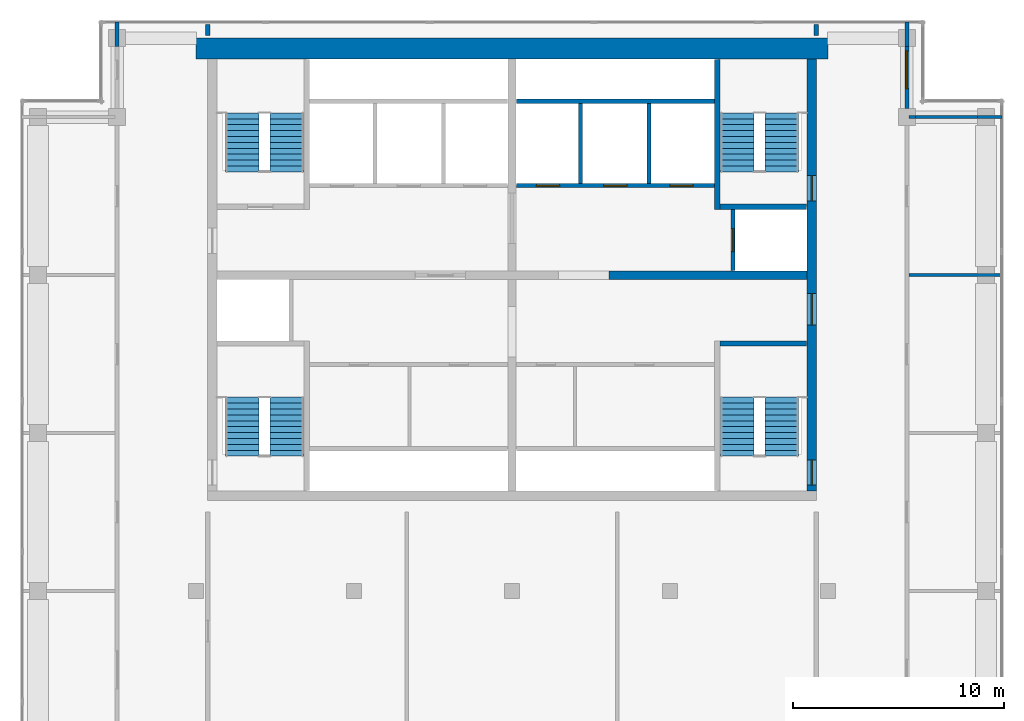
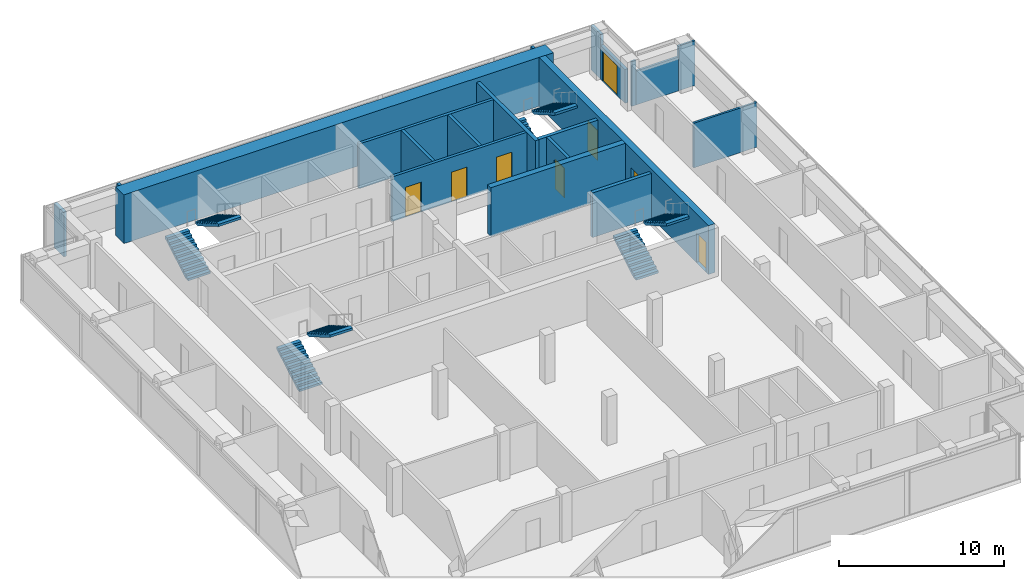
# One storey, part 8 of 9: 20 walls, 8 doors, 8 stair flights, 8 openings, 4 elements without a shape of their own.
"""IFC4 building model written with IfcOpenShell, lengths in metres."""

from ifc_helpers import new_model, si_unit, direction, frame, frame_2d, origin, place, context, subcontext, project, spatial, polyline, rectangle, outline, extrude, material, layer, layer_set, type_object, element, fill, aggregate, save


model = new_model("IFC4")

# Units and contexts
model_context = context("Model", 3, precision=1e-05, world=origin(), true_north=direction((0.0, 1.0)))
body_context = subcontext(model_context, "Body", "Model", "MODEL_VIEW")
ifc_project = project(units=[si_unit("LENGTHUNIT", "METRE"), si_unit("AREAUNIT", "SQUARE_METRE"), si_unit("VOLUMEUNIT", "CUBIC_METRE"), si_unit("PLANEANGLEUNIT", "RADIAN"), si_unit("MASSUNIT", "GRAM", prefix="KILO")], contexts=[model_context])

# Site, building, storey
site_placement = place(None, origin())
site = spatial("IfcSite", under=ifc_project, at=site_placement, CompositionType="ELEMENT")
building_placement = place(site_placement, origin())
building = spatial("IfcBuilding", under=site, at=building_placement, Name="Pilkhan Gate Tower", CompositionType="ELEMENT")
storey_placement = place(building_placement, frame((0.0, 0.0, 262.10009765625)))
storey = spatial("IfcBuildingStorey", under=building, at=storey_placement, Name="L68", CompositionType="ELEMENT", Elevation=262.10009765625)

# Wall
ifc_material_1 = material(Name="Concrete C50/60", Category="concrete")
ifc_layer_1 = layer(ifc_material_1, 1.0)
ifc_layer_set_1 = layer_set([ifc_layer_1], Name="Core wall CW1000 C50/60")
wall_type_1 = type_object("IfcWallType", Name="Core wall CW1000 C50/60", PredefinedType="SHEAR", material=ifc_layer_set_1)
wall_1_placement = place(storey_placement, frame((90.0, 93.25, 0.0), z_axis=(0.0, 0.0, 1.0), x_axis=(-1.0, 0.0, 0.0)))
element("IfcWall", 1, at=wall_1_placement, inside=storey, type_object=wall_type_1, Name="Core wall N L68", PredefinedType="SHEAR", context=body_context, shape_type="SweptSolid", body=[
    extrude(rectangle(XDim=30.0, YDim=1.0, at=frame_2d((15.0, 0.0))), origin(), (0.0, 0.0, 1.0), 3.599853515625),
])

# Wall, openings, doors
ifc_layer_2 = layer(ifc_material_1, 0.449951171875)
ifc_layer_set_2 = layer_set([ifc_layer_2], Name="Core wall CW450 C50/60")
wall_type_2 = type_object("IfcWallType", Name="Core wall CW450 C50/60", PredefinedType="SHEAR", material=ifc_layer_set_2)
wall_2_placement = place(storey_placement, frame((89.22509765625, 72.25, 0.0), z_axis=(0.0, 0.0, 1.0), x_axis=(0.0, 1.0, 0.0)))
wall_2 = element("IfcWall", 2, at=wall_2_placement, inside=storey, type_object=wall_type_2, Name="Core wall E L68", PredefinedType="SHEAR", context=body_context, shape_type="SweptSolid", body=[
    extrude(rectangle(XDim=20.5, YDim=0.449951171875, at=frame_2d((10.25, 0.0))), origin(), (0.0, 0.0, 1.0), 3.599853515625),
])
opening_1_placement = place(wall_2_placement, frame((0.27490234375, 0.0, 0.0)))
opening_1 = element("IfcOpeningElement", 3, at=opening_1_placement, cuts=wall_2, Name="Opening L68-03", PredefinedType="OPENING", context=body_context, shape_type="SweptSolid", body=[
    extrude(rectangle(XDim=1.199951171875, YDim=2.199951171875, at=frame_2d((0.60009765625, 1.10009765625))), frame((0.0, 0.23486328125, 0.0), z_axis=(0.0, -1.0, 0.0), x_axis=(1.0, 0.0, 0.0)), (0.0, 0.0, 1.0), 0.469970703125),
])
opening_2_placement = place(wall_2_placement, frame((13.77490234375, 0.0, 0.0)))
opening_2 = element("IfcOpeningElement", 4, at=opening_2_placement, cuts=wall_2, Name="Opening L68-05", PredefinedType="OPENING", context=body_context, shape_type="SweptSolid", body=[
    extrude(rectangle(XDim=1.199951171875, YDim=2.199951171875, at=frame_2d((0.60009765625, 1.10009765625))), frame((0.0, 0.23486328125, 0.0), z_axis=(0.0, -1.0, 0.0), x_axis=(1.0, 0.0, 0.0)), (0.0, 0.0, 1.0), 0.469970703125),
])
opening_3_placement = place(wall_2_placement, frame((7.875, 0.0, 0.0)))
opening_3 = element("IfcOpeningElement", 5, at=opening_3_placement, cuts=wall_2, Name="Opening L68-09", PredefinedType="OPENING", context=body_context, shape_type="SweptSolid", body=[
    extrude(rectangle(XDim=1.5, YDim=2.199951171875, at=frame_2d((0.75, 1.10009765625))), frame((0.0, 0.23486328125, 0.0), z_axis=(0.0, -1.0, 0.0), x_axis=(1.0, 0.0, 0.0)), (0.0, 0.0, 1.0), 0.469970703125),
])
ifc_material_2 = material(Name="Steel framed glazed door, 60 minute fire resisting", Category="steel")
door_type_1 = type_object("IfcDoorType", Name="Lobby door D09 1500x2200", OperationType="DOUBLE_DOOR_SINGLE_SWING", PredefinedType="DOOR", material=ifc_material_2)
door_1_placement = place(opening_3_placement, origin())
door_1 = element("IfcDoor", 6, at=door_1_placement, inside=storey, type_object=door_type_1, Name="Core door", OperationType="DOUBLE_DOOR_SINGLE_SWING", OverallHeight=2.199951171875, OverallWidth=1.5, PredefinedType="DOOR", context=body_context, shape_type="SweptSolid", body=[
    extrude(rectangle(XDim=1.5, YDim=2.199951171875, at=frame_2d((0.75, 1.10009765625))), frame((0.0, 0.02490234375, 0.0), z_axis=(0.0, -1.0, 0.0), x_axis=(1.0, 0.0, 0.0)), (0.0, 0.0, 1.0), 0.050048828125),
])
fill(opening_3, door_1)
ifc_material_3 = material(Name="Steel door, 120 minute fire resisting, panic bar", Category="steel")
door_type_2 = type_object("IfcDoorType", Name="Stair door D11 1200x2200", OperationType="SINGLE_SWING_LEFT", PredefinedType="DOOR", material=ifc_material_3)
door_2_placement = place(opening_1_placement, origin())
door_2 = element("IfcDoor", 7, at=door_2_placement, inside=storey, type_object=door_type_2, Name="Stair ST1 door", OperationType="SINGLE_SWING_LEFT", OverallHeight=2.199951171875, OverallWidth=1.199951171875, PredefinedType="DOOR", context=body_context, shape_type="SweptSolid", body=[
    extrude(rectangle(XDim=1.199951171875, YDim=2.199951171875, at=frame_2d((0.60009765625, 1.10009765625))), frame((0.0, 0.02490234375, 0.0), z_axis=(0.0, -1.0, 0.0), x_axis=(1.0, 0.0, 0.0)), (0.0, 0.0, 1.0), 0.050048828125),
])
fill(opening_1, door_2)
door_3_placement = place(opening_2_placement, origin())
door_3 = element("IfcDoor", 8, at=door_3_placement, inside=storey, type_object=door_type_2, Name="Stair ST4 door", OperationType="SINGLE_SWING_LEFT", OverallHeight=2.199951171875, OverallWidth=1.199951171875, PredefinedType="DOOR", context=body_context, shape_type="SweptSolid", body=[
    extrude(rectangle(XDim=1.199951171875, YDim=2.199951171875, at=frame_2d((0.60009765625, 1.10009765625))), frame((0.0, 0.02490234375, 0.0), z_axis=(0.0, -1.0, 0.0), x_axis=(1.0, 0.0, 0.0)), (0.0, 0.0, 1.0), 0.050048828125),
])
fill(opening_2, door_3)

# Walls
ifc_material_4 = material(Name="Dense blockwork", Category="masonry")
ifc_layer_3 = layer(ifc_material_4, 0.199951171875)
ifc_layer_set_3 = layer_set([ifc_layer_3], Name="Corridor wall FW200")
wall_type_3 = type_object("IfcWallType", Name="Corridor wall FW200", PredefinedType="PARTITIONING", material=ifc_layer_set_3)
wall_3_placement = place(storey_placement, frame((56.25, 93.35009765625, 0.0), z_axis=(0.0, 0.0, 1.0), x_axis=(0.0, 1.0, 0.0)))
element("IfcWall", 9, at=wall_3_placement, inside=storey, type_object=wall_type_3, Name="Partition L68", PredefinedType="PARTITIONING", context=body_context, shape_type="SweptSolid", body=[
    extrude(rectangle(XDim=1.164794921875, YDim=0.199951171875, at=frame_2d((0.58251953125, 0.0))), origin(), (0.0, 0.0, 1.0), 3.2998046875),
])
for number, where, z_axis, x_axis, name in (
    (10, (60.550048828125, 93.8701171875, 0.0), (0.0, 0.0, 1.0), (0.0, 1.0, 0.0), "Partition L68"),
    (11, (89.449951171875, 93.8701171875, 0.0), (0.0, 0.0, 1.0), (0.0, 1.0, 0.0), "Partition L68"),
):
    element("IfcWall", number, at=place(storey_placement, frame(where, z_axis=z_axis, x_axis=x_axis)), inside=storey, type_object=wall_type_3, Name=name, PredefinedType="PARTITIONING", context=body_context, shape_type="SweptSolid", body=[
        extrude(rectangle(XDim=0.52490234375, YDim=0.199951171875, at=frame_2d((0.262451171875, 0.0))), origin(), (0.0, 0.0, 1.0), 3.2998046875),
    ])

# Wall, opening, door
wall_4_placement = place(storey_placement, frame((93.75, 90.39990234375, 0.0), z_axis=(0.0, 0.0, 1.0), x_axis=(0.0, 1.0, 0.0)))
wall_4 = element("IfcWall", 12, at=wall_4_placement, inside=storey, type_object=wall_type_3, Name="Partition L68", PredefinedType="PARTITIONING", context=body_context, shape_type="SweptSolid", body=[
    extrude(rectangle(XDim=2.9501953125, YDim=0.199951171875, at=frame_2d((1.47509765625, 0.0))), origin(), (0.0, 0.0, 1.0), 2.5),
])
opening_4_placement = place(wall_4_placement, frame((0.949951171875, 0.0, 0.0)))
opening_4 = element("IfcOpeningElement", 13, at=opening_4_placement, cuts=wall_4, Name="Opening L68-08", PredefinedType="OPENING", context=body_context, shape_type="SweptSolid", body=[
    extrude(rectangle(XDim=1.800048828125, YDim=2.199951171875, at=frame_2d((0.89990234375, 1.10009765625))), frame((0.0, 0.10986328125, 0.0), z_axis=(0.0, -1.0, 0.0), x_axis=(1.0, 0.0, 0.0)), (0.0, 0.0, 1.0), 0.219970703125),
])
ifc_material_5 = material(Name="Timber glazed double door, 30 minute fire resisting", Category="wood")
door_type_3 = type_object("IfcDoorType", Name="Double door D04 1800x2200", OperationType="DOUBLE_DOOR_SINGLE_SWING", PredefinedType="DOOR", material=ifc_material_5)
door_4_placement = place(opening_4_placement, origin())
door_4 = element("IfcDoor", 14, at=door_4_placement, inside=storey, type_object=door_type_3, Name="Double door", OperationType="DOUBLE_DOOR_SINGLE_SWING", OverallHeight=2.199951171875, OverallWidth=1.800048828125, PredefinedType="DOOR", context=body_context, shape_type="SweptSolid", body=[
    extrude(rectangle(XDim=1.800048828125, YDim=2.199951171875, at=frame_2d((0.89990234375, 1.10009765625))), frame((0.0, 0.02490234375, 0.0), z_axis=(0.0, -1.0, 0.0), x_axis=(1.0, 0.0, 0.0)), (0.0, 0.0, 1.0), 0.050048828125),
])
fill(opening_4, door_4)

# Walls
wall_5_placement = place(storey_placement, frame((93.75, 93.35009765625, 0.0), z_axis=(0.0, 0.0, 1.0), x_axis=(0.0, 1.0, 0.0)))
element("IfcWall", 15, at=wall_5_placement, inside=storey, type_object=wall_type_3, Name="Partition L68", PredefinedType="PARTITIONING", context=body_context, shape_type="SweptSolid", body=[
    extrude(rectangle(XDim=1.164794921875, YDim=0.199951171875, at=frame_2d((0.58251953125, 0.0))), origin(), (0.0, 0.0, 1.0), 3.2998046875),
])
ifc_material_6 = material(Name="Blockwork partition, plastered both sides", Category="masonry")
ifc_layer_4 = layer(ifc_material_6, 0.14990234375)
ifc_layer_set_4 = layer_set([ifc_layer_4], Name="Partition PW150")
wall_type_4 = type_object("IfcWallType", Name="Partition PW150", PredefinedType="PARTITIONING", material=ifc_layer_set_4)
wall_6_placement = place(storey_placement, frame((93.85009765625, 82.5, 0.0), z_axis=(0.0, 0.0, 1.0), x_axis=(1.0, 0.0, 0.0)))
element("IfcWall", 16, at=wall_6_placement, inside=storey, type_object=wall_type_4, Name="Partition L68", PredefinedType="PARTITIONING", context=body_context, shape_type="SweptSolid", body=[
    extrude(rectangle(XDim=4.414794921875, YDim=0.14990234375, at=frame_2d((2.20751953125, 0.0))), origin(), (0.0, 0.0, 1.0), 3.2998046875),
])
wall_7_placement = place(storey_placement, frame((93.85009765625, 90.0, 0.0), z_axis=(0.0, 0.0, 1.0), x_axis=(1.0, 0.0, 0.0)))
element("IfcWall", 17, at=wall_7_placement, inside=storey, type_object=wall_type_4, Name="Partition L68", PredefinedType="PARTITIONING", context=body_context, shape_type="SweptSolid", body=[
    extrude(rectangle(XDim=0.2998046875, YDim=0.14990234375, at=frame_2d((0.14990234375, 0.0))), origin(), (0.0, 0.0, 1.0), 3.2998046875),
])
wall_8_placement = place(storey_placement, frame((94.14990234375, 90.0, 0.0), z_axis=(0.0, 0.0, 1.0), x_axis=(1.0, 0.0, 0.0)))
element("IfcWall", 18, at=wall_8_placement, inside=storey, type_object=wall_type_4, Name="Partition L68", PredefinedType="PARTITIONING", context=body_context, shape_type="SweptSolid", body=[
    extrude(rectangle(XDim=2.9501953125, YDim=0.14990234375, at=frame_2d((1.47509765625, 0.0))), origin(), (0.0, 0.0, 1.0), 2.5),
])
wall_9_placement = place(storey_placement, frame((97.10009765625, 90.0, 0.0), z_axis=(0.0, 0.0, 1.0), x_axis=(1.0, 0.0, 0.0)))
element("IfcWall", 19, at=wall_9_placement, inside=storey, type_object=wall_type_4, Name="Partition L68", PredefinedType="PARTITIONING", context=body_context, shape_type="SweptSolid", body=[
    extrude(rectangle(XDim=1.164794921875, YDim=0.14990234375, at=frame_2d((0.58251953125, 0.0))), origin(), (0.0, 0.0, 1.0), 3.2998046875),
])

# Wall, openings, doors
ifc_material_7 = material(Name="Reinforced blockwork shaft wall, 120 minute fire resisting", Category="masonry")
ifc_layer_5 = layer(ifc_material_7, 0.199951171875)
ifc_layer_set_5 = layer_set([ifc_layer_5], Name="Shaft wall SW200")
wall_type_5 = type_object("IfcWallType", Name="Shaft wall SW200", PredefinedType="PARTITIONING", material=ifc_layer_set_5)
wall_10_placement = place(storey_placement, frame((75.2099609375, 86.75, 0.0), z_axis=(0.0, 0.0, 1.0), x_axis=(1.0, 0.0, 0.0)))
wall_10 = element("IfcWall", 20, at=wall_10_placement, inside=storey, type_object=wall_type_5, Name="Partition L68", PredefinedType="PARTITIONING", context=body_context, shape_type="SweptSolid", body=[
    extrude(rectangle(XDim=9.4150390625, YDim=0.199951171875, at=frame_2d((4.70751953125, 0.0))), origin(), (0.0, 0.0, 1.0), 3.2998046875),
])
opening_5_placement = place(wall_10_placement, frame((0.949951171875, 0.0, 0.0)))
opening_5 = element("IfcOpeningElement", 21, at=opening_5_placement, cuts=wall_10, Name="Opening LD", PredefinedType="OPENING", context=body_context, shape_type="SweptSolid", body=[
    extrude(rectangle(XDim=1.10009765625, YDim=2.199951171875, at=frame_2d((0.550048828125, 1.10009765625))), frame((0.0, 0.10986328125, 0.0), z_axis=(0.0, -1.0, 0.0), x_axis=(1.0, 0.0, 0.0)), (0.0, 0.0, 1.0), 0.219970703125),
])
opening_6_placement = place(wall_10_placement, frame((4.139892578125, 0.0, 0.0)))
opening_6 = element("IfcOpeningElement", 22, at=opening_6_placement, cuts=wall_10, Name="Opening LD", PredefinedType="OPENING", context=body_context, shape_type="SweptSolid", body=[
    extrude(rectangle(XDim=1.10009765625, YDim=2.199951171875, at=frame_2d((0.550048828125, 1.10009765625))), frame((0.0, 0.10986328125, 0.0), z_axis=(0.0, -1.0, 0.0), x_axis=(1.0, 0.0, 0.0)), (0.0, 0.0, 1.0), 0.219970703125),
])
opening_7_placement = place(wall_10_placement, frame((7.2900390625, 0.0, 0.0)))
opening_7 = element("IfcOpeningElement", 23, at=opening_7_placement, cuts=wall_10, Name="Opening LD", PredefinedType="OPENING", context=body_context, shape_type="SweptSolid", body=[
    extrude(rectangle(XDim=1.10009765625, YDim=2.199951171875, at=frame_2d((0.550048828125, 1.10009765625))), frame((0.0, 0.10986328125, 0.0), z_axis=(0.0, -1.0, 0.0), x_axis=(1.0, 0.0, 0.0)), (0.0, 0.0, 1.0), 0.219970703125),
])
ifc_material_8 = material(Name="Stainless steel centre-opening landing door, 120 minute fire resisting", Category="steel")
door_type_4 = type_object("IfcDoorType", Name="Lift landing door LD 1100x2200", OperationType="DOUBLE_DOOR_SLIDING", PredefinedType="DOOR", material=ifc_material_8)
door_5_placement = place(opening_5_placement, origin())
door_5 = element("IfcDoor", 24, at=door_5_placement, inside=storey, type_object=door_type_4, Name="Landing door HR1", OperationType="DOUBLE_DOOR_SLIDING", OverallHeight=2.199951171875, OverallWidth=1.10009765625, PredefinedType="DOOR", context=body_context, shape_type="SweptSolid", body=[
    extrude(rectangle(XDim=1.10009765625, YDim=2.199951171875, at=frame_2d((0.550048828125, 1.10009765625))), frame((0.0, 0.02490234375, 0.0), z_axis=(0.0, -1.0, 0.0), x_axis=(1.0, 0.0, 0.0)), (0.0, 0.0, 1.0), 0.050048828125),
])
fill(opening_5, door_5)
door_6_placement = place(opening_6_placement, origin())
door_6 = element("IfcDoor", 25, at=door_6_placement, inside=storey, type_object=door_type_4, Name="Landing door HR2", OperationType="DOUBLE_DOOR_SLIDING", OverallHeight=2.199951171875, OverallWidth=1.10009765625, PredefinedType="DOOR", context=body_context, shape_type="SweptSolid", body=[
    extrude(rectangle(XDim=1.10009765625, YDim=2.199951171875, at=frame_2d((0.550048828125, 1.10009765625))), frame((0.0, 0.02490234375, 0.0), z_axis=(0.0, -1.0, 0.0), x_axis=(1.0, 0.0, 0.0)), (0.0, 0.0, 1.0), 0.050048828125),
])
fill(opening_6, door_6)
door_7_placement = place(opening_7_placement, origin())
door_7 = element("IfcDoor", 26, at=door_7_placement, inside=storey, type_object=door_type_4, Name="Landing door HR3", OperationType="DOUBLE_DOOR_SLIDING", OverallHeight=2.199951171875, OverallWidth=1.10009765625, PredefinedType="DOOR", context=body_context, shape_type="SweptSolid", body=[
    extrude(rectangle(XDim=1.10009765625, YDim=2.199951171875, at=frame_2d((0.550048828125, 1.10009765625))), frame((0.0, 0.02490234375, 0.0), z_axis=(0.0, -1.0, 0.0), x_axis=(1.0, 0.0, 0.0)), (0.0, 0.0, 1.0), 0.050048828125),
])
fill(opening_7, door_7)

# Walls
wall_11_placement = place(storey_placement, frame((75.2099609375, 90.75, 0.0), z_axis=(0.0, 0.0, 1.0), x_axis=(1.0, 0.0, 0.0)))
element("IfcWall", 27, at=wall_11_placement, inside=storey, type_object=wall_type_5, Name="Partition L68", PredefinedType="PARTITIONING", context=body_context, shape_type="SweptSolid", body=[
    extrude(rectangle(XDim=9.4150390625, YDim=0.199951171875, at=frame_2d((4.70751953125, 0.0))), origin(), (0.0, 0.0, 1.0), 3.2998046875),
])
for number, where, z_axis, x_axis, name in (
    (28, (78.25, 86.85009765625, 0.0), (0.0, 0.0, 1.0), (0.0, 1.0, 0.0), "Partition L68"),
    (29, (81.5, 86.85009765625, 0.0), (0.0, 0.0, 1.0), (0.0, 1.0, 0.0), "Partition L68"),
):
    element("IfcWall", number, at=place(storey_placement, frame(where, z_axis=z_axis, x_axis=x_axis)), inside=storey, type_object=wall_type_5, Name=name, PredefinedType="PARTITIONING", context=body_context, shape_type="SweptSolid", body=[
        extrude(rectangle(XDim=3.7998046875, YDim=0.199951171875, at=frame_2d((1.89990234375, 0.0))), origin(), (0.0, 0.0, 1.0), 3.2998046875),
    ])

# Wall, opening, door
wall_12_placement = place(storey_placement, frame((85.5, 82.7099609375, 0.0), z_axis=(0.0, 0.0, 1.0), x_axis=(0.0, 1.0, 0.0)))
wall_12 = element("IfcWall", 30, at=wall_12_placement, inside=storey, type_object=wall_type_5, Name="Partition L68", PredefinedType="PARTITIONING", context=body_context, shape_type="SweptSolid", body=[
    extrude(rectangle(XDim=2.9150390625, YDim=0.199951171875, at=frame_2d((1.45751953125, 0.0))), origin(), (0.0, 0.0, 1.0), 3.2998046875),
])
opening_8_placement = place(wall_12_placement, frame((0.89990234375, 0.0, 0.0)))
opening_8 = element("IfcOpeningElement", 31, at=opening_8_placement, cuts=wall_12, Name="Opening LD", PredefinedType="OPENING", context=body_context, shape_type="SweptSolid", body=[
    extrude(rectangle(XDim=1.10009765625, YDim=2.199951171875, at=frame_2d((0.550048828125, 1.10009765625))), frame((0.0, 0.10986328125, 0.0), z_axis=(0.0, -1.0, 0.0), x_axis=(1.0, 0.0, 0.0)), (0.0, 0.0, 1.0), 0.219970703125),
])
door_8_placement = place(opening_8_placement, origin())
door_8 = element("IfcDoor", 32, at=door_8_placement, inside=storey, type_object=door_type_4, Name="Landing door HR4", OperationType="DOUBLE_DOOR_SLIDING", OverallHeight=2.199951171875, OverallWidth=1.10009765625, PredefinedType="DOOR", context=body_context, shape_type="SweptSolid", body=[
    extrude(rectangle(XDim=1.10009765625, YDim=2.199951171875, at=frame_2d((0.550048828125, 1.10009765625))), frame((0.0, 0.02490234375, 0.0), z_axis=(0.0, -1.0, 0.0), x_axis=(1.0, 0.0, 0.0)), (0.0, 0.0, 1.0), 0.050048828125),
])
fill(opening_8, door_8)

# Walls
ifc_layer_6 = layer(ifc_material_1, 0.39990234375)
ifc_layer_set_6 = layer_set([ifc_layer_6], Name="Spine wall SW400 C50/60")
wall_type_6 = type_object("IfcWallType", Name="Spine wall SW400 C50/60", PredefinedType="SHEAR", material=ifc_layer_set_6)
wall_13_placement = place(storey_placement, frame((79.60009765625, 82.5, 0.0), z_axis=(0.0, 0.0, 1.0), x_axis=(1.0, 0.0, 0.0)))
element("IfcWall", 33, at=wall_13_placement, inside=storey, type_object=wall_type_6, Name="Spine wall SP-EW3 L68", PredefinedType="SHEAR", context=body_context, shape_type="SweptSolid", body=[
    extrude(rectangle(XDim=9.39990234375, YDim=0.39990234375, at=frame_2d((4.699951171875, 0.0))), origin(), (0.0, 0.0, 1.0), 3.599853515625),
])
ifc_material_9 = material(Name="Reinforced blockwork, 120 minute fire resisting", Category="masonry")
ifc_layer_7 = layer(ifc_material_9, 0.25)
ifc_layer_set_7 = layer_set([ifc_layer_7], Name="Stair enclosure wall SE250")
wall_type_7 = type_object("IfcWallType", Name="Stair enclosure wall SE250", PredefinedType="PARTITIONING", material=ifc_layer_set_7)
for number, where, z_axis, x_axis, name in (
    (34, (84.875, 79.25, 0.0), (0.0, 0.0, 1.0), (1.0, 0.0, 0.0), "Partition L68"),
    (35, (84.875, 85.75, 0.0), (0.0, 0.0, 1.0), (1.0, 0.0, 0.0), "Partition L68"),
):
    element("IfcWall", number, at=place(storey_placement, frame(where, z_axis=z_axis, x_axis=x_axis)), inside=storey, type_object=wall_type_7, Name=name, PredefinedType="PARTITIONING", context=body_context, shape_type="SweptSolid", body=[
        extrude(rectangle(XDim=4.114990234375, YDim=0.25, at=frame_2d((2.0576171875, 0.0))), origin(), (0.0, 0.0, 1.0), 3.2998046875),
    ])
wall_14_placement = place(storey_placement, frame((84.75, 85.625, 0.0), z_axis=(0.0, 0.0, 1.0), x_axis=(0.0, 1.0, 0.0)))
element("IfcWall", 36, at=wall_14_placement, inside=storey, type_object=wall_type_7, Name="Partition L68", PredefinedType="PARTITIONING", context=body_context, shape_type="SweptSolid", body=[
    extrude(rectangle(XDim=7.114990234375, YDim=0.25, at=frame_2d((3.5576171875, 0.0))), origin(), (0.0, 0.0, 1.0), 3.2998046875),
])

# Stair, stair flights
ifc_material_10 = material(Name="Concrete C40/50 precast", Category="concrete")
stair_type_1 = type_object("IfcStairType", Name="Stair ST1 164x280", PredefinedType="HALF_TURN_STAIR", material=ifc_material_10)
stair_1_placement = place(storey_placement, origin())
stair_1 = element("IfcStair", 37, at=stair_1_placement, inside=storey, type_object=stair_type_1, Name="Stair ST1 L68", PredefinedType="HALF_TURN_STAIR")
stair_flight_type_1 = type_object("IfcStairFlightType", Name="Stair flight ST1 164x280x11", PredefinedType="STRAIGHT", material=ifc_material_10)
stair_flight_1_placement = place(storey_placement, frame((85.68994140625, 73.89990234375, 0.0), z_axis=(0.0, 0.0, 1.0), x_axis=(0.0, 1.0, 0.0)))
stair_flight_1 = element("IfcStairFlight", 38, at=stair_flight_1_placement, type_object=stair_flight_type_1, Name="ST1 flight 1", NumberOfRisers=11, NumberOfTreads=10, PredefinedType="STRAIGHT", RiserHeight=0.163636364, TreadLength=0.28, context=body_context, shape_type="SweptSolid", body=[
    extrude(outline(polyline([(0.0, 0.0), (0.0, 0.16357421875), (0.280029296875, 0.16357421875), (0.280029296875, 0.327392578125), (0.56005859375, 0.327392578125), (0.56005859375, 0.490966796875), (0.840087890625, 0.490966796875), (0.840087890625, 0.654541015625), (1.1201171875, 0.654541015625), (1.1201171875, 0.818115234375), (1.39990234375, 0.818115234375), (1.39990234375, 0.98193359375), (1.679931640625, 0.98193359375), (1.679931640625, 1.1455078125), (1.9599609375, 1.1455078125), (1.9599609375, 1.30908203125), (2.239990234375, 1.30908203125), (2.239990234375, 1.47265625), (2.52001953125, 1.47265625), (2.52001953125, 1.636474609375), (2.800048828125, 1.636474609375), (2.800048828125, 1.800048828125), (2.800048828125, 1.462646484375), (0.297119140625, 0.0), (0.0, 0.0)])), frame((0.0, 0.7900390625, 0.0), z_axis=(0.0, -1.0, 0.0), x_axis=(1.0, 0.0, 0.0)), (0.0, 0.0, 1.0), 1.580078125),
])
stair_flight_2_placement = place(storey_placement, frame((87.81005859375, 76.699951171875, 1.7998046875), z_axis=(0.0, 0.0, 1.0), x_axis=(0.0, -1.0, 0.0)))
stair_flight_2 = element("IfcStairFlight", 39, at=stair_flight_2_placement, type_object=stair_flight_type_1, Name="ST1 flight 2", NumberOfRisers=11, NumberOfTreads=10, PredefinedType="STRAIGHT", RiserHeight=0.163636364, TreadLength=0.28, context=body_context, shape_type="SweptSolid", body=[
    extrude(outline(polyline([(0.0, 0.0), (0.0, 0.16357421875), (0.280029296875, 0.16357421875), (0.280029296875, 0.327392578125), (0.56005859375, 0.327392578125), (0.56005859375, 0.490966796875), (0.840087890625, 0.490966796875), (0.840087890625, 0.654541015625), (1.1201171875, 0.654541015625), (1.1201171875, 0.818115234375), (1.39990234375, 0.818115234375), (1.39990234375, 0.98193359375), (1.679931640625, 0.98193359375), (1.679931640625, 1.1455078125), (1.9599609375, 1.1455078125), (1.9599609375, 1.30908203125), (2.239990234375, 1.30908203125), (2.239990234375, 1.47265625), (2.52001953125, 1.47265625), (2.52001953125, 1.636474609375), (2.800048828125, 1.636474609375), (2.800048828125, 1.800048828125), (2.800048828125, 1.462646484375), (0.297119140625, 0.0), (0.0, 0.0)])), frame((0.0, 0.7900390625, 0.0), z_axis=(0.0, -1.0, 0.0), x_axis=(1.0, 0.0, 0.0)), (0.0, 0.0, 1.0), 1.580078125),
])
aggregate(stair_1, [stair_flight_1, stair_flight_2])

stair_type_2 = type_object("IfcStairType", Name="Stair ST2 164x280", PredefinedType="HALF_TURN_STAIR", material=ifc_material_10)
stair_2_placement = place(storey_placement, origin())
stair_2 = element("IfcStair", 40, at=stair_2_placement, inside=storey, type_object=stair_type_2, Name="Stair ST2 L68", PredefinedType="HALF_TURN_STAIR")
stair_flight_type_2 = type_object("IfcStairFlightType", Name="Stair flight ST2 164x280x11", PredefinedType="STRAIGHT", material=ifc_material_10)
stair_flight_3_placement = place(storey_placement, frame((62.18994140625, 73.89990234375, 0.0), z_axis=(0.0, 0.0, 1.0), x_axis=(0.0, 1.0, 0.0)))
stair_flight_3 = element("IfcStairFlight", 41, at=stair_flight_3_placement, type_object=stair_flight_type_2, Name="ST2 flight 1", NumberOfRisers=11, NumberOfTreads=10, PredefinedType="STRAIGHT", RiserHeight=0.163636364, TreadLength=0.28, context=body_context, shape_type="SweptSolid", body=[
    extrude(outline(polyline([(0.0, 0.0), (0.0, 0.16357421875), (0.280029296875, 0.16357421875), (0.280029296875, 0.327392578125), (0.56005859375, 0.327392578125), (0.56005859375, 0.490966796875), (0.840087890625, 0.490966796875), (0.840087890625, 0.654541015625), (1.1201171875, 0.654541015625), (1.1201171875, 0.818115234375), (1.39990234375, 0.818115234375), (1.39990234375, 0.98193359375), (1.679931640625, 0.98193359375), (1.679931640625, 1.1455078125), (1.9599609375, 1.1455078125), (1.9599609375, 1.30908203125), (2.239990234375, 1.30908203125), (2.239990234375, 1.47265625), (2.52001953125, 1.47265625), (2.52001953125, 1.636474609375), (2.800048828125, 1.636474609375), (2.800048828125, 1.800048828125), (2.800048828125, 1.462646484375), (0.297119140625, 0.0), (0.0, 0.0)])), frame((0.0, 0.7900390625, 0.0), z_axis=(0.0, -1.0, 0.0), x_axis=(1.0, 0.0, 0.0)), (0.0, 0.0, 1.0), 1.580078125),
])
stair_flight_4_placement = place(storey_placement, frame((64.31005859375, 76.699951171875, 1.7998046875), z_axis=(0.0, 0.0, 1.0), x_axis=(0.0, -1.0, 0.0)))
stair_flight_4 = element("IfcStairFlight", 42, at=stair_flight_4_placement, type_object=stair_flight_type_2, Name="ST2 flight 2", NumberOfRisers=11, NumberOfTreads=10, PredefinedType="STRAIGHT", RiserHeight=0.163636364, TreadLength=0.28, context=body_context, shape_type="SweptSolid", body=[
    extrude(outline(polyline([(0.0, 0.0), (0.0, 0.16357421875), (0.280029296875, 0.16357421875), (0.280029296875, 0.327392578125), (0.56005859375, 0.327392578125), (0.56005859375, 0.490966796875), (0.840087890625, 0.490966796875), (0.840087890625, 0.654541015625), (1.1201171875, 0.654541015625), (1.1201171875, 0.818115234375), (1.39990234375, 0.818115234375), (1.39990234375, 0.98193359375), (1.679931640625, 0.98193359375), (1.679931640625, 1.1455078125), (1.9599609375, 1.1455078125), (1.9599609375, 1.30908203125), (2.239990234375, 1.30908203125), (2.239990234375, 1.47265625), (2.52001953125, 1.47265625), (2.52001953125, 1.636474609375), (2.800048828125, 1.636474609375), (2.800048828125, 1.800048828125), (2.800048828125, 1.462646484375), (0.297119140625, 0.0), (0.0, 0.0)])), frame((0.0, 0.7900390625, 0.0), z_axis=(0.0, -1.0, 0.0), x_axis=(1.0, 0.0, 0.0)), (0.0, 0.0, 1.0), 1.580078125),
])
aggregate(stair_2, [stair_flight_3, stair_flight_4])

stair_type_3 = type_object("IfcStairType", Name="Stair ST3 164x280", PredefinedType="HALF_TURN_STAIR", material=ifc_material_10)
stair_3_placement = place(storey_placement, origin())
stair_3 = element("IfcStair", 43, at=stair_3_placement, inside=storey, type_object=stair_type_3, Name="Stair ST3 L68", PredefinedType="HALF_TURN_STAIR")
stair_flight_type_3 = type_object("IfcStairFlightType", Name="Stair flight ST3 164x280x11", PredefinedType="STRAIGHT", material=ifc_material_10)
stair_flight_5_placement = place(storey_placement, frame((62.18994140625, 87.39990234375, 0.0), z_axis=(0.0, 0.0, 1.0), x_axis=(0.0, 1.0, 0.0)))
stair_flight_5 = element("IfcStairFlight", 44, at=stair_flight_5_placement, type_object=stair_flight_type_3, Name="ST3 flight 1", NumberOfRisers=11, NumberOfTreads=10, PredefinedType="STRAIGHT", RiserHeight=0.163636364, TreadLength=0.28, context=body_context, shape_type="SweptSolid", body=[
    extrude(outline(polyline([(0.0, 0.0), (0.0, 0.16357421875), (0.280029296875, 0.16357421875), (0.280029296875, 0.327392578125), (0.56005859375, 0.327392578125), (0.56005859375, 0.490966796875), (0.840087890625, 0.490966796875), (0.840087890625, 0.654541015625), (1.1201171875, 0.654541015625), (1.1201171875, 0.818115234375), (1.39990234375, 0.818115234375), (1.39990234375, 0.98193359375), (1.679931640625, 0.98193359375), (1.679931640625, 1.1455078125), (1.9599609375, 1.1455078125), (1.9599609375, 1.30908203125), (2.239990234375, 1.30908203125), (2.239990234375, 1.47265625), (2.52001953125, 1.47265625), (2.52001953125, 1.636474609375), (2.800048828125, 1.636474609375), (2.800048828125, 1.800048828125), (2.800048828125, 1.462646484375), (0.297119140625, 0.0), (0.0, 0.0)])), frame((0.0, 0.7900390625, 0.0), z_axis=(0.0, -1.0, 0.0), x_axis=(1.0, 0.0, 0.0)), (0.0, 0.0, 1.0), 1.580078125),
])
stair_flight_6_placement = place(storey_placement, frame((64.31005859375, 90.199951171875, 1.7998046875), z_axis=(0.0, 0.0, 1.0), x_axis=(0.0, -1.0, 0.0)))
stair_flight_6 = element("IfcStairFlight", 45, at=stair_flight_6_placement, type_object=stair_flight_type_3, Name="ST3 flight 2", NumberOfRisers=11, NumberOfTreads=10, PredefinedType="STRAIGHT", RiserHeight=0.163636364, TreadLength=0.28, context=body_context, shape_type="SweptSolid", body=[
    extrude(outline(polyline([(0.0, 0.0), (0.0, 0.16357421875), (0.280029296875, 0.16357421875), (0.280029296875, 0.327392578125), (0.56005859375, 0.327392578125), (0.56005859375, 0.490966796875), (0.840087890625, 0.490966796875), (0.840087890625, 0.654541015625), (1.1201171875, 0.654541015625), (1.1201171875, 0.818115234375), (1.39990234375, 0.818115234375), (1.39990234375, 0.98193359375), (1.679931640625, 0.98193359375), (1.679931640625, 1.1455078125), (1.9599609375, 1.1455078125), (1.9599609375, 1.30908203125), (2.239990234375, 1.30908203125), (2.239990234375, 1.47265625), (2.52001953125, 1.47265625), (2.52001953125, 1.636474609375), (2.800048828125, 1.636474609375), (2.800048828125, 1.800048828125), (2.800048828125, 1.462646484375), (0.297119140625, 0.0), (0.0, 0.0)])), frame((0.0, 0.7900390625, 0.0), z_axis=(0.0, -1.0, 0.0), x_axis=(1.0, 0.0, 0.0)), (0.0, 0.0, 1.0), 1.580078125),
])
aggregate(stair_3, [stair_flight_5, stair_flight_6])

stair_type_4 = type_object("IfcStairType", Name="Stair ST4 164x280", PredefinedType="HALF_TURN_STAIR", material=ifc_material_10)
stair_4_placement = place(storey_placement, origin())
stair_4 = element("IfcStair", 46, at=stair_4_placement, inside=storey, type_object=stair_type_4, Name="Stair ST4 L68", PredefinedType="HALF_TURN_STAIR")
stair_flight_type_4 = type_object("IfcStairFlightType", Name="Stair flight ST4 164x280x11", PredefinedType="STRAIGHT", material=ifc_material_10)
stair_flight_7_placement = place(storey_placement, frame((85.68994140625, 87.39990234375, 0.0), z_axis=(0.0, 0.0, 1.0), x_axis=(0.0, 1.0, 0.0)))
stair_flight_7 = element("IfcStairFlight", 47, at=stair_flight_7_placement, type_object=stair_flight_type_4, Name="ST4 flight 1", NumberOfRisers=11, NumberOfTreads=10, PredefinedType="STRAIGHT", RiserHeight=0.163636364, TreadLength=0.28, context=body_context, shape_type="SweptSolid", body=[
    extrude(outline(polyline([(0.0, 0.0), (0.0, 0.16357421875), (0.280029296875, 0.16357421875), (0.280029296875, 0.327392578125), (0.56005859375, 0.327392578125), (0.56005859375, 0.490966796875), (0.840087890625, 0.490966796875), (0.840087890625, 0.654541015625), (1.1201171875, 0.654541015625), (1.1201171875, 0.818115234375), (1.39990234375, 0.818115234375), (1.39990234375, 0.98193359375), (1.679931640625, 0.98193359375), (1.679931640625, 1.1455078125), (1.9599609375, 1.1455078125), (1.9599609375, 1.30908203125), (2.239990234375, 1.30908203125), (2.239990234375, 1.47265625), (2.52001953125, 1.47265625), (2.52001953125, 1.636474609375), (2.800048828125, 1.636474609375), (2.800048828125, 1.800048828125), (2.800048828125, 1.462646484375), (0.297119140625, 0.0), (0.0, 0.0)])), frame((0.0, 0.7900390625, 0.0), z_axis=(0.0, -1.0, 0.0), x_axis=(1.0, 0.0, 0.0)), (0.0, 0.0, 1.0), 1.580078125),
])
stair_flight_8_placement = place(storey_placement, frame((87.81005859375, 90.199951171875, 1.7998046875), z_axis=(0.0, 0.0, 1.0), x_axis=(0.0, -1.0, 0.0)))
stair_flight_8 = element("IfcStairFlight", 48, at=stair_flight_8_placement, type_object=stair_flight_type_4, Name="ST4 flight 2", NumberOfRisers=11, NumberOfTreads=10, PredefinedType="STRAIGHT", RiserHeight=0.163636364, TreadLength=0.28, context=body_context, shape_type="SweptSolid", body=[
    extrude(outline(polyline([(0.0, 0.0), (0.0, 0.16357421875), (0.280029296875, 0.16357421875), (0.280029296875, 0.327392578125), (0.56005859375, 0.327392578125), (0.56005859375, 0.490966796875), (0.840087890625, 0.490966796875), (0.840087890625, 0.654541015625), (1.1201171875, 0.654541015625), (1.1201171875, 0.818115234375), (1.39990234375, 0.818115234375), (1.39990234375, 0.98193359375), (1.679931640625, 0.98193359375), (1.679931640625, 1.1455078125), (1.9599609375, 1.1455078125), (1.9599609375, 1.30908203125), (2.239990234375, 1.30908203125), (2.239990234375, 1.47265625), (2.52001953125, 1.47265625), (2.52001953125, 1.636474609375), (2.800048828125, 1.636474609375), (2.800048828125, 1.800048828125), (2.800048828125, 1.462646484375), (0.297119140625, 0.0), (0.0, 0.0)])), frame((0.0, 0.7900390625, 0.0), z_axis=(0.0, -1.0, 0.0), x_axis=(1.0, 0.0, 0.0)), (0.0, 0.0, 1.0), 1.580078125),
])
aggregate(stair_4, [stair_flight_7, stair_flight_8])

save(model, "model.ifc")
